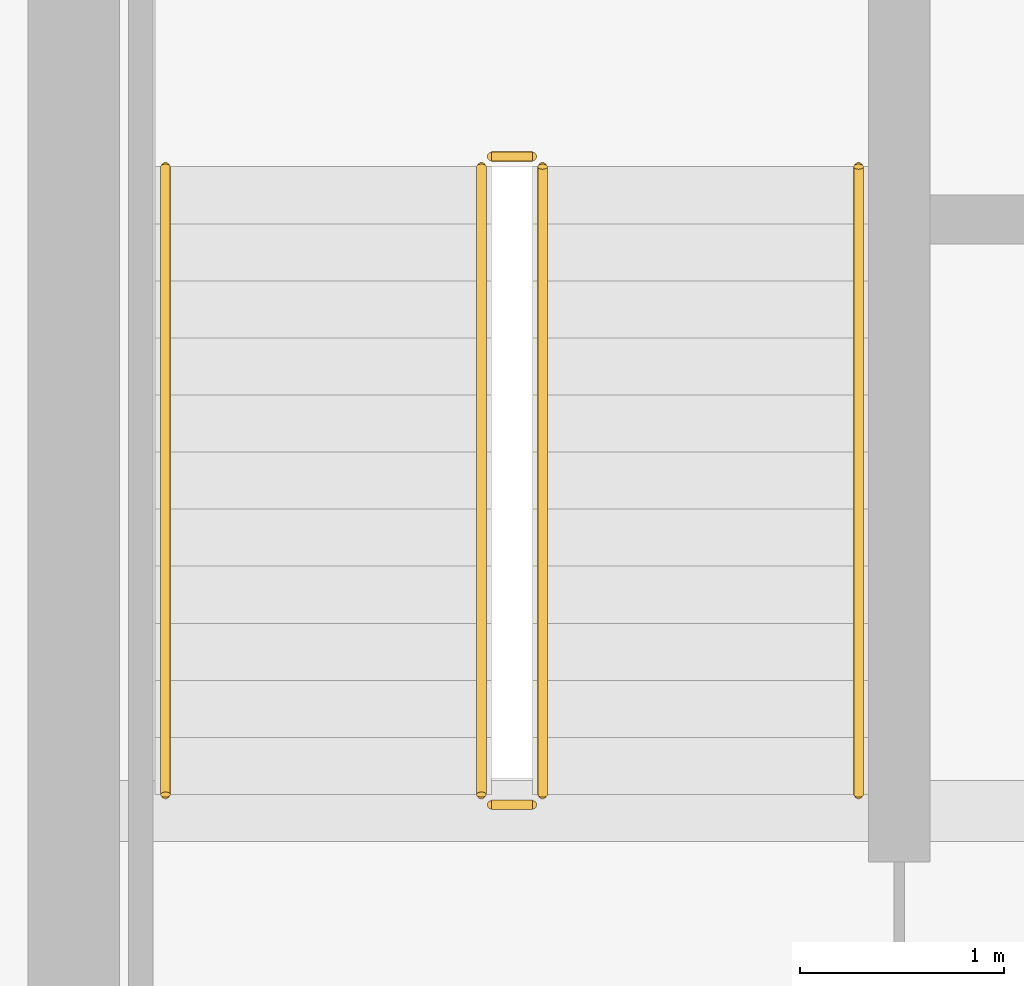
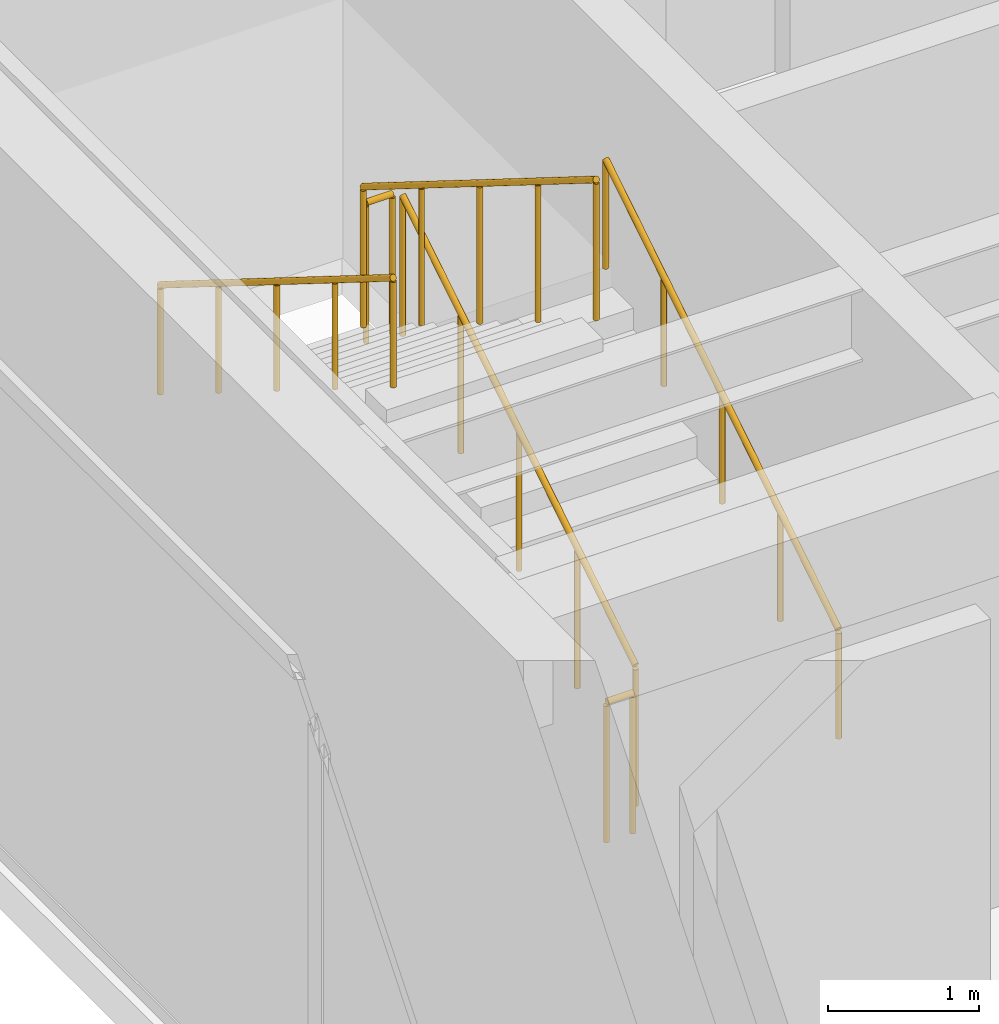
# One storey, part 31 of 34: 6 railings.
"""IFC4 building model written with IfcOpenShell, lengths in metres."""

from ifc_helpers import new_model, si_unit, direction, frame, origin, origin_2d, place, context, subcontext, project, spatial, circle, extrude, source, transform, mapped, material, type_object, type_shapes, element, save


model = new_model("IFC4")

# Units and contexts
model_context = context("Model", 3, precision=1e-05, world=origin(), true_north=direction((0.0, 1.0)))
body_context = subcontext(model_context, "Body", "Model", "MODEL_VIEW")
ifc_project = project(units=[si_unit("LENGTHUNIT", "METRE"), si_unit("AREAUNIT", "SQUARE_METRE"), si_unit("VOLUMEUNIT", "CUBIC_METRE"), si_unit("PLANEANGLEUNIT", "RADIAN"), si_unit("MASSUNIT", "GRAM", prefix="KILO")], contexts=[model_context])

# Site, building, storey
site_placement = place(None, origin())
site = spatial("IfcSite", under=ifc_project, at=site_placement, CompositionType="ELEMENT")
building_placement = place(site_placement, origin())
building = spatial("IfcBuilding", under=site, at=building_placement, Name="Haelvirn Gate Laboratories", CompositionType="ELEMENT")
storey_placement = place(building_placement, frame((0.0, 0.0, 322.800048828125)))
storey = spatial("IfcBuildingStorey", under=building, at=storey_placement, Name="L77", CompositionType="ELEMENT", Elevation=322.800048828125)

# Railings
ifc_material_1 = material(Name="Galvanised steel SM355 & stainless top rail", Category="steel")
railing_type_1 = type_object("IfcRailingType", Name="RL-GUARD-1150", PredefinedType="GUARDRAIL", material=ifc_material_1)
shared_shape_1 = source(origin(), body_context, "Body", "SweptSolid", [
    extrude(circle(Radius=0.02392578125, at=origin_2d()), frame((0.0, 0.0, 1.1259765625), z_axis=(-1.0, 0.0, 0.0), x_axis=(0.0, -1.0, 0.0)), (0.0, 0.0, 1.0), 0.199951171875),
    extrude(circle(Radius=0.02099609375, at=origin_2d()), origin(), (0.0, 0.0, 1.0), 1.101806640625),
    extrude(circle(Radius=0.02099609375, at=origin_2d()), frame((-0.199951171875, 0.0, 0.0)), (0.0, 0.0, 1.0), 1.101806640625),
])
for number, where, name in (
    (1, (9.64990234375, 29.830078125, 2.099853515625), "L77 ST1 stair guard 2"),
    (2, (9.64990234375, 26.64990234375, 0.0), "L77 ST1 stair guard 4"),
):
    element("IfcRailing", number, at=place(storey_placement, frame(where)), inside=storey, type_object=railing_type_1, Name=name, PredefinedType="GUARDRAIL", context=body_context, shape_type="MappedRepresentation", body=[
        mapped(shared_shape_1, transform((0.0, 0.0, 0.0), scale=1.0)),
    ])
shared_shape_2 = source(origin(), body_context, "Body", "SweptSolid", [
    extrude(circle(Radius=0.02392578125, at=origin_2d()), frame((0.0, 0.0, 1.1259765625), z_axis=(0.0, -0.847998304005, 0.529998940003), x_axis=(1.0, 0.0, 0.0)), (0.0, 0.0, 1.0), 3.632080078125),
    extrude(circle(Radius=0.02099609375, at=origin_2d()), origin(), (0.0, 0.0, 1.0), 1.101806640625),
    extrude(circle(Radius=0.02099609375, at=origin_2d()), frame((0.0, -0.77001953125, 0.481201171875)), (0.0, 0.0, 1.0), 1.101806640625),
    extrude(circle(Radius=0.02099609375, at=origin_2d()), frame((0.0, -1.5400390625, 0.96240234375)), (0.0, 0.0, 1.0), 1.101806640625),
    extrude(circle(Radius=0.02099609375, at=origin_2d()), frame((0.0, -2.31005859375, 1.44384765625)), (0.0, 0.0, 1.0), 1.101806640625),
    extrude(circle(Radius=0.02099609375, at=origin_2d()), frame((0.0, -3.080078125, 1.925048828125)), (0.0, 0.0, 1.0), 1.101806640625),
])
railing_1_placement = place(storey_placement, frame((9.39990234375, 29.780029296875, 2.27490234375)))
element("IfcRailing", 3, at=railing_1_placement, inside=storey, type_object=railing_type_1, Name="L77 ST1 stair guard 3", PredefinedType="GUARDRAIL", context=body_context, shape_type="MappedRepresentation", body=[
    mapped(shared_shape_2, transform((0.0, 0.0, 0.0), scale=1.0)),
])
ifc_material_2 = material(Name="Brushed stainless steel 316L", Category="steel")
railing_type_2 = type_object("IfcRailingType", Name="RL-HAND-920", PredefinedType="HANDRAIL", material=ifc_material_2)
shared_shape_3 = source(origin(), body_context, "Body", "SweptSolid", [
    extrude(circle(Radius=0.02392578125, at=origin_2d()), frame((0.0, 0.0, 0.8759765625), z_axis=(0.0, -0.847998304005, 0.529998940003), x_axis=(1.0, 0.0, 0.0)), (0.0, 0.0, 1.0), 3.632080078125),
    extrude(circle(Radius=0.02099609375, at=origin_2d()), origin(), (0.0, 0.0, 1.0), 0.851806640625),
    extrude(circle(Radius=0.02099609375, at=origin_2d()), frame((0.0, -0.77001953125, 0.481201171875)), (0.0, 0.0, 1.0), 0.851806640625),
    extrude(circle(Radius=0.02099609375, at=origin_2d()), frame((0.0, -1.5400390625, 0.96240234375)), (0.0, 0.0, 1.0), 0.851806640625),
    extrude(circle(Radius=0.02099609375, at=origin_2d()), frame((0.0, -2.31005859375, 1.44384765625)), (0.0, 0.0, 1.0), 0.851806640625),
    extrude(circle(Radius=0.02099609375, at=origin_2d()), frame((0.0, -3.080078125, 1.925048828125)), (0.0, 0.0, 1.0), 0.851806640625),
])
railing_2_placement = place(storey_placement, frame((7.85009765625, 29.780029296875, 2.27490234375)))
element("IfcRailing", 4, at=railing_2_placement, inside=storey, type_object=railing_type_2, Name="L77 ST1 stair handrail 2", PredefinedType="HANDRAIL", context=body_context, shape_type="MappedRepresentation", body=[
    mapped(shared_shape_3, transform((0.0, 0.0, 0.0), scale=1.0)),
])
shared_shape_4 = source(origin(), body_context, "Body", "SweptSolid", [
    extrude(circle(Radius=0.02392578125, at=origin_2d()), frame((0.0, 0.0, 1.1259765625), z_axis=(0.0, 0.848028513186, 0.529950602248), x_axis=(-1.0, 0.0, 0.0)), (0.0, 0.0, 1.0), 3.632080078125),
    extrude(circle(Radius=0.02099609375, at=origin_2d()), origin(), (0.0, 0.0, 1.0), 1.101806640625),
    extrude(circle(Radius=0.02099609375, at=origin_2d()), frame((0.0, 0.77001953125, 0.481201171875)), (0.0, 0.0, 1.0), 1.101806640625),
    extrude(circle(Radius=0.02099609375, at=origin_2d()), frame((0.0, 1.5400390625, 0.96240234375)), (0.0, 0.0, 1.0), 1.101806640625),
    extrude(circle(Radius=0.02099609375, at=origin_2d()), frame((0.0, 2.31005859375, 1.443603515625)), (0.0, 0.0, 1.0), 1.101806640625),
    extrude(circle(Radius=0.02099609375, at=origin_2d()), frame((0.0, 3.080078125, 1.9248046875)), (0.0, 0.0, 1.0), 1.101806640625),
])
type_shapes(railing_type_1, [shared_shape_1, shared_shape_2, shared_shape_4])
railing_3_placement = place(storey_placement, frame((9.699951171875, 26.699951171875, 0.175048828125)))
element("IfcRailing", 5, at=railing_3_placement, inside=storey, type_object=railing_type_1, Name="L77 ST1 stair guard 1", PredefinedType="GUARDRAIL", context=body_context, shape_type="MappedRepresentation", body=[
    mapped(shared_shape_4, transform((0.0, 0.0, 0.0), scale=1.0)),
])
shared_shape_5 = source(origin(), body_context, "Body", "SweptSolid", [
    extrude(circle(Radius=0.02392578125, at=origin_2d()), frame((0.0, 0.0, 0.8759765625), z_axis=(0.0, 0.848028513186, 0.529950602248), x_axis=(-1.0, 0.0, 0.0)), (0.0, 0.0, 1.0), 3.632080078125),
    extrude(circle(Radius=0.02099609375, at=origin_2d()), origin(), (0.0, 0.0, 1.0), 0.851806640625),
    extrude(circle(Radius=0.02099609375, at=origin_2d()), frame((0.0, 0.77001953125, 0.481201171875)), (0.0, 0.0, 1.0), 0.851806640625),
    extrude(circle(Radius=0.02099609375, at=origin_2d()), frame((0.0, 1.5400390625, 0.96240234375)), (0.0, 0.0, 1.0), 0.851806640625),
    extrude(circle(Radius=0.02099609375, at=origin_2d()), frame((0.0, 2.31005859375, 1.443603515625)), (0.0, 0.0, 1.0), 0.851806640625),
    extrude(circle(Radius=0.02099609375, at=origin_2d()), frame((0.0, 3.080078125, 1.9248046875)), (0.0, 0.0, 1.0), 0.851806640625),
])
type_shapes(railing_type_2, [shared_shape_3, shared_shape_5])
railing_4_placement = place(storey_placement, frame((11.25, 26.699951171875, 0.175048828125)))
element("IfcRailing", 6, at=railing_4_placement, inside=storey, type_object=railing_type_2, Name="L77 ST1 stair handrail 1", PredefinedType="HANDRAIL", context=body_context, shape_type="MappedRepresentation", body=[
    mapped(shared_shape_5, transform((0.0, 0.0, 0.0), scale=1.0)),
])

save(model, "model.ifc")
